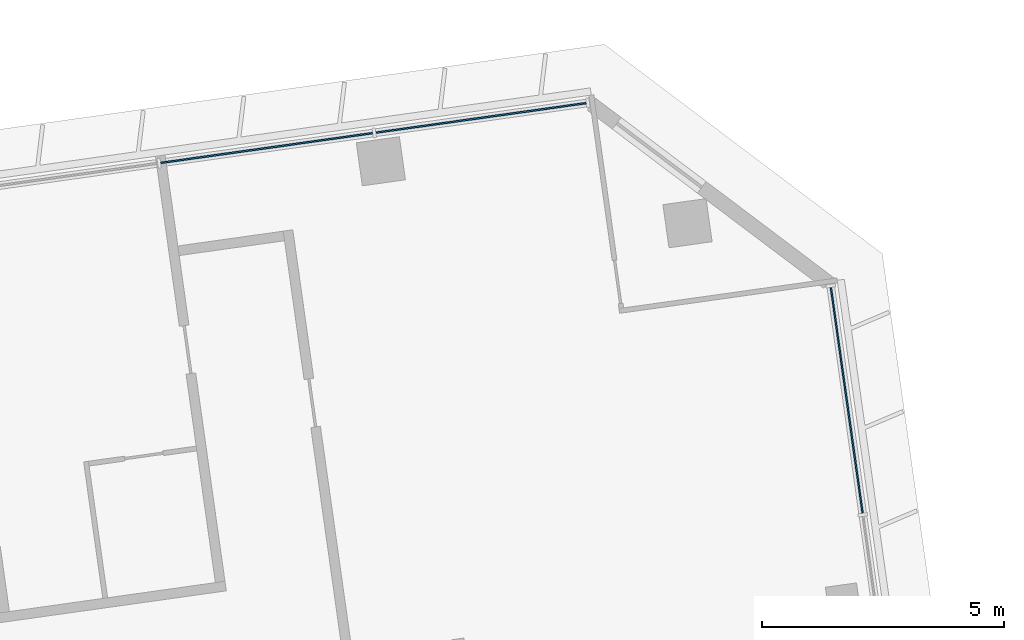
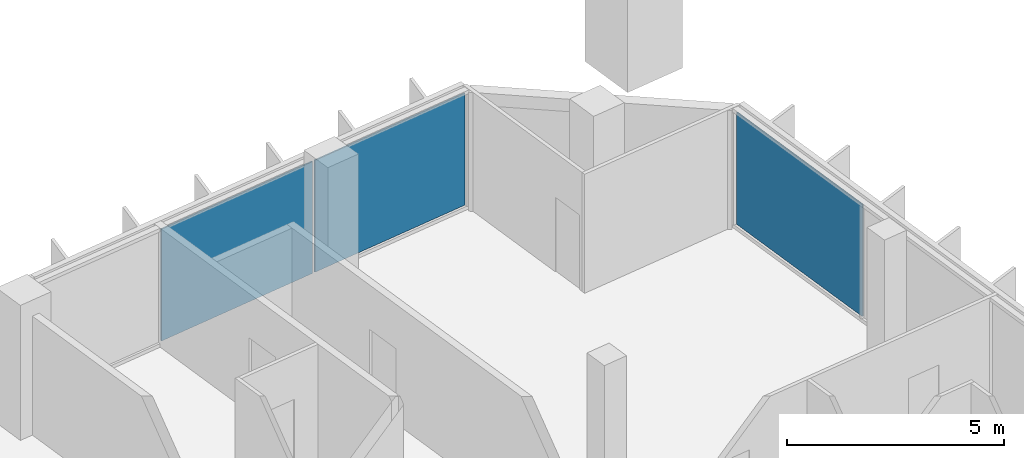
# One storey, part 13 of 24: 3 plates, 2 elements without a shape of their own.
"""IFC4 building model written with IfcOpenShell, lengths in metres."""

from ifc_helpers import new_model, si_unit, direction, frame, origin, origin_2d, place, context, subcontext, project, spatial, rectangle, extrude, material, layer, layer_set, type_object, element, aggregate, save


model = new_model("IFC4")

# Units and contexts
model_context = context("Model", 3, precision=1e-05, world=origin(), true_north=direction((0.0, 1.0)))
body_context = subcontext(model_context, "Body", "Model", "MODEL_VIEW")
ifc_project = project(units=[si_unit("LENGTHUNIT", "METRE"), si_unit("AREAUNIT", "SQUARE_METRE"), si_unit("VOLUMEUNIT", "CUBIC_METRE"), si_unit("PLANEANGLEUNIT", "RADIAN"), si_unit("MASSUNIT", "GRAM", prefix="KILO")], contexts=[model_context])

# Site, building, storey
site_placement = place(None, origin())
site = spatial("IfcSite", under=ifc_project, at=site_placement, CompositionType="ELEMENT")
building_placement = place(site_placement, origin())
building = spatial("IfcBuilding", under=site, at=building_placement, Name="Mirante Cascada Hotel Towers", CompositionType="ELEMENT")
storey_placement = place(building_placement, frame((0.0, 0.0, 132.9)))
storey = spatial("IfcBuildingStorey", under=building, at=storey_placement, Name="L30", CompositionType="ELEMENT", Elevation=132.9)

# Curtain wall, plates
ifc_material_1 = material(Name="Aluminium mullion and transom frame with clear laminated glass", Category="aluminium")
curtain_wall_type_1 = type_object("IfcCurtainWallType", Name="Ribbon curtain wall ECW1", PredefinedType="NOTDEFINED", material=ifc_material_1)
curtain_wall_1_placement = place(storey_placement, origin())
curtain_wall_1 = element("IfcCurtainWall", 1, at=curtain_wall_1_placement, inside=storey, type_object=curtain_wall_type_1, Name="Front ribbon wall T2 L30", PredefinedType="NOTDEFINED")
ifc_material_2 = material(Name="Clear laminated glass", Category="glass")
ifc_layer_1 = layer(ifc_material_2, 0.036)
ifc_layer_set_1 = layer_set([ifc_layer_1], Name="ECW1 glass panel 36")
plate_type_1 = type_object("IfcPlateType", Name="ECW1 glass panel 36", PredefinedType="CURTAIN_PANEL", material=ifc_layer_set_1)
plate_1_placement = place(storey_placement, frame((91.9184, 25.7373, 0.1), z_axis=(0.0, 0.0, 1.0), x_axis=(-0.9902681, -0.1391731, 0.0)))
plate_1 = element("IfcPlate", 2, at=plate_1_placement, type_object=plate_type_1, Name="ECW1 panel 1", PredefinedType="CURTAIN_PANEL", context=body_context, shape_type="SweptSolid", body=[
    extrude(rectangle(XDim=4.3936, YDim=0.036, at=origin_2d()), origin(), (0.0, 0.0, 1.0), 3.15),
])
plate_2_placement = place(storey_placement, frame((87.487, 25.1145, 0.1), z_axis=(0.0, 0.0, 1.0), x_axis=(-0.9902681, -0.1391731, 0.0)))
plate_2 = element("IfcPlate", 3, at=plate_2_placement, type_object=plate_type_1, Name="ECW1 panel 2", PredefinedType="CURTAIN_PANEL", context=body_context, shape_type="SweptSolid", body=[
    extrude(rectangle(XDim=4.4261, YDim=0.036, at=origin_2d()), origin(), (0.0, 0.0, 1.0), 3.15),
])
aggregate(curtain_wall_1, [plate_1, plate_2])

# Curtain wall, plate
ifc_material_3 = material(Name="Aluminium mullion and transom frame with clear laminated glass", Category="aluminium")
curtain_wall_type_2 = type_object("IfcCurtainWallType", Name="End ribbon curtain wall ECW2", PredefinedType="NOTDEFINED", material=ifc_material_3)
curtain_wall_2_placement = place(storey_placement, origin())
curtain_wall_2 = element("IfcCurtainWall", 4, at=curtain_wall_2_placement, inside=storey, type_object=curtain_wall_type_2, Name="Outer end wall T2 L30", PredefinedType="NOTDEFINED")
ifc_material_4 = material(Name="Clear laminated glass", Category="glass")
ifc_layer_2 = layer(ifc_material_4, 0.034)
ifc_layer_set_2 = layer_set([ifc_layer_2], Name="ECW2 glass panel 34")
plate_type_2 = type_object("IfcPlateType", Name="ECW2 glass panel 34", PredefinedType="CURTAIN_PANEL", material=ifc_layer_set_2)
plate_3_placement = place(storey_placement, frame((99.4786, 19.898, 0.1), z_axis=(0.0, 0.0, 1.0), x_axis=(-0.1391731, 0.9902681, 0.0)))
plate_3 = element("IfcPlate", 5, at=plate_3_placement, type_object=plate_type_2, Name="ECW2 panel 6", PredefinedType="CURTAIN_PANEL", context=body_context, shape_type="SweptSolid", body=[
    extrude(rectangle(XDim=4.7151, YDim=0.034, at=origin_2d()), origin(), (0.0, 0.0, 1.0), 3.15),
])
aggregate(curtain_wall_2, [plate_3])

save(model, "model.ifc")
